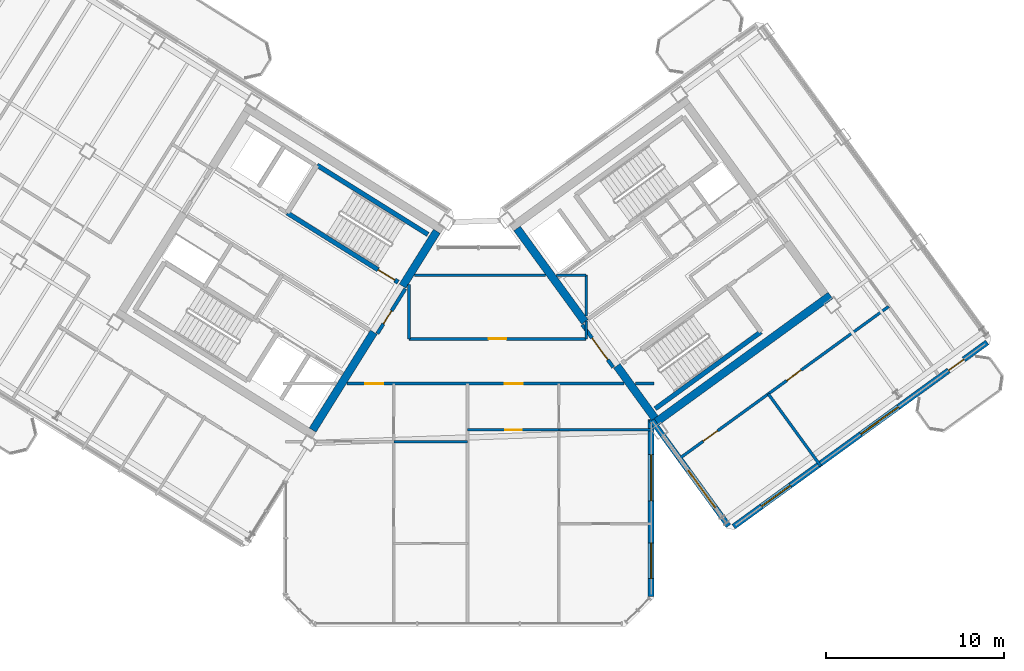
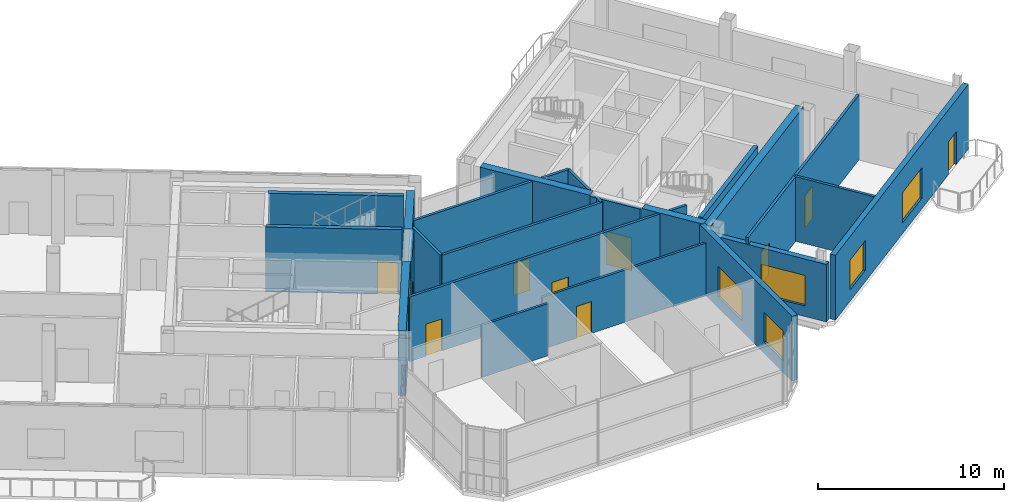
# One storey, part 18 of 27: 26 walls, 10 doors, 5 windows, 15 openings.
"""IFC4 building model written with IfcOpenShell, lengths in metres."""

from ifc_helpers import new_model, si_unit, direction, frame, frame_2d, origin, place, context, subcontext, project, spatial, rectangle, extrude, source, transform, mapped, material, layer, layer_set, type_object, element, fill, save


model = new_model("IFC4")

# Units and contexts
model_context = context("Model", 3, precision=1e-05, world=origin(), true_north=direction((0.0, 1.0)))
body_context = subcontext(model_context, "Body", "Model", "MODEL_VIEW")
ifc_project = project(units=[si_unit("LENGTHUNIT", "METRE"), si_unit("AREAUNIT", "SQUARE_METRE"), si_unit("VOLUMEUNIT", "CUBIC_METRE"), si_unit("PLANEANGLEUNIT", "RADIAN"), si_unit("MASSUNIT", "GRAM", prefix="KILO")], contexts=[model_context])

# Site, building, storey
site_placement = place(None, origin())
site = spatial("IfcSite", under=ifc_project, at=site_placement, CompositionType="ELEMENT")
building_placement = place(site_placement, origin())
building = spatial("IfcBuilding", under=site, at=building_placement, Name="Tlacorven Tower", CompositionType="ELEMENT")
storey_placement = place(building_placement, frame((0.0, 0.0, 254.699951171875)))
storey = spatial("IfcBuildingStorey", under=building, at=storey_placement, Name="L64", CompositionType="ELEMENT", Elevation=254.699951171875)

# Walls
ifc_material_1 = material(Name="Concrete C50/60", Category="concrete")
ifc_layer_1 = layer(ifc_material_1, 0.449951171875)
ifc_layer_set_1 = layer_set([ifc_layer_1], Name="Concrete C50/60")
wall_type_1 = type_object("IfcWallType", Name="WL-COR-450", PredefinedType="SHEAR", material=ifc_layer_set_1)
wall_1_placement = place(storey_placement, frame((40.220703125, 23.96484375, 0.0), z_axis=(0.0, 0.0, 1.0), x_axis=(-0.529902075036, -0.848058836916, 0.0)))
element("IfcWall", 1, at=wall_1_placement, inside=storey, type_object=wall_type_1, Name="L64 W core end wall E1.1", PredefinedType="SHEAR", context=body_context, shape_type="SweptSolid", body=[
    extrude(rectangle(XDim=3.625, YDim=0.449951171875, at=frame_2d((1.8125, 0.0))), origin(), (0.0, 0.0, 1.0), 4.25),
])
wall_2_placement = place(storey_placement, frame((36.683349609375, 18.30419921875, 0.0), z_axis=(0.0, 0.0, 1.0), x_axis=(-0.529904039071, -0.848057609704, 0.0)))
element("IfcWall", 2, at=wall_2_placement, inside=storey, type_object=wall_type_1, Name="L64 W core end wall E1.2", PredefinedType="SHEAR", context=body_context, shape_type="SweptSolid", body=[
    extrude(rectangle(XDim=6.47509765625, YDim=0.449951171875, at=frame_2d((3.237548828125, 0.0))), origin(), (0.0, 0.0, 1.0), 4.25),
])
wall_3_placement = place(storey_placement, frame((52.3994140625, 13.169189453125, 0.0), z_axis=(0.0, 0.0, 1.0), x_axis=(0.809022352778, 0.587777877013, 0.0)))
element("IfcWall", 3, at=wall_3_placement, inside=storey, type_object=wall_type_1, Name="L64 E core shear wall S1", PredefinedType="SHEAR", context=body_context, shape_type="SweptSolid", body=[
    extrude(rectangle(XDim=12.239990234375, YDim=0.449951171875, at=frame_2d((6.1201171875, 0.0))), origin(), (0.0, 0.0, 1.0), 4.25),
])
wall_4_placement = place(storey_placement, frame((52.44921875, 13.4833984375, 0.0), z_axis=(0.0, 0.0, 1.0), x_axis=(-0.587819244441, 0.808992296542, 0.0)))
element("IfcWall", 4, at=wall_4_placement, inside=storey, type_object=wall_type_1, Name="L64 E core end wall E1.1", PredefinedType="SHEAR", context=body_context, shape_type="SweptSolid", body=[
    extrude(rectangle(XDim=3.625, YDim=0.449951171875, at=frame_2d((1.8125, 0.0))), origin(), (0.0, 0.0, 1.0), 4.25),
])
wall_5_placement = place(storey_placement, frame((48.525634765625, 18.883544921875, 0.0), z_axis=(0.0, 0.0, 1.0), x_axis=(-0.587774812919, 0.809024578921, 0.0)))
element("IfcWall", 5, at=wall_5_placement, inside=storey, type_object=wall_type_1, Name="L64 E core end wall E1.2", PredefinedType="SHEAR", context=body_context, shape_type="SweptSolid", body=[
    extrude(rectangle(XDim=6.47509765625, YDim=0.449951171875, at=frame_2d((3.237548828125, 0.0))), origin(), (0.0, 0.0, 1.0), 4.25),
])

# Wall, openings, doors
ifc_material_2 = material(Name="Gypsum plasterboard acoustic partition", Category="gypsum")
ifc_layer_2 = layer(ifc_material_2, 0.159912109375)
ifc_layer_set_2 = layer_set([ifc_layer_2], Name="Gypsum plasterboard acoustic partition")
wall_type_2 = type_object("IfcWallType", Name="WL-DEM-160", PredefinedType="PARTITIONING", material=ifc_layer_set_2)
wall_6_placement = place(storey_placement, frame((35.178466796875, 15.419921875, 0.0), z_axis=(0.0, 0.0, 1.0), x_axis=(1.0, 0.0, 0.0)))
wall_6 = element("IfcWall", 6, at=wall_6_placement, inside=storey, type_object=wall_type_2, Name="L64 Knuckle Corridor South Wall", PredefinedType="PARTITIONING", context=body_context, shape_type="SweptSolid", body=[
    extrude(rectangle(XDim=15.55224609375, YDim=0.159912109375, at=frame_2d((7.776123046875, 0.0))), origin(), (0.0, 0.0, 1.0), 4.239990234375),
])
opening_1_placement = place(wall_6_placement, frame((1.028076171875, 0.0, 0.0)))
opening_1 = element("IfcOpeningElement", 7, at=opening_1_placement, cuts=wall_6, Name="Opening D11", PredefinedType="OPENING", context=body_context, shape_type="SweptSolid", body=[
    extrude(rectangle(XDim=1.0, YDim=2.10009765625, at=frame_2d((0.5, 1.050048828125))), frame((0.0, 0.08984375, 0.0), z_axis=(0.0, -1.0, 0.0), x_axis=(1.0, 0.0, 0.0)), (0.0, 0.0, 1.0), 0.179931640625),
])
opening_2_placement = place(wall_6_placement, frame((8.857666015625, 0.0, 0.0)))
opening_2 = element("IfcOpeningElement", 8, at=opening_2_placement, cuts=wall_6, Name="Opening D11", PredefinedType="OPENING", context=body_context, shape_type="SweptSolid", body=[
    extrude(rectangle(XDim=1.0, YDim=2.10009765625, at=frame_2d((0.5, 1.050048828125))), frame((0.0, 0.08984375, 0.0), z_axis=(0.0, -1.0, 0.0), x_axis=(1.0, 0.0, 0.0)), (0.0, 0.0, 1.0), 0.179931640625),
])
ifc_material_3 = material(Name="Fire-rated steel door assembly", Category="steel")
door_type_1 = type_object("IfcDoorType", Name="DR-FLT-FD60-1000", OperationType="NOTDEFINED", PredefinedType="DOOR", material=ifc_material_3)
shared_shape_1 = source(origin(), body_context, "Body", "SweptSolid", [
    extrude(rectangle(XDim=1.0, YDim=2.10009765625, at=frame_2d((0.5, 1.050048828125))), frame((0.0, 0.02490234375, 0.0), z_axis=(0.0, -1.0, 0.0), x_axis=(1.0, 0.0, 0.0)), (0.0, 0.0, 1.0), 0.050048828125),
])
door_1_placement = place(opening_1_placement, frame((1.0, 0.0, 0.0), z_axis=(0.0, 0.0, 1.0), x_axis=(-1.0, 0.0, 0.0)))
door_1 = element("IfcDoor", 9, at=door_1_placement, inside=storey, type_object=door_type_1, Name="L64 door 039", OperationType="SINGLE_SWING_RIGHT", OverallHeight=2.10009765625, OverallWidth=1.0, PredefinedType="DOOR", context=body_context, shape_type="MappedRepresentation", body=[
    mapped(shared_shape_1, transform((0.0, 0.0, 0.0), scale=1.0)),
])
fill(opening_1, door_1)
door_2_placement = place(opening_2_placement, frame((1.0, 0.0, 0.0), z_axis=(0.0, 0.0, 1.0), x_axis=(-1.0, 0.0, 0.0)))
door_2 = element("IfcDoor", 10, at=door_2_placement, inside=storey, type_object=door_type_1, Name="L64 door 044", OperationType="SINGLE_SWING_LEFT", OverallHeight=2.10009765625, OverallWidth=1.0, PredefinedType="DOOR", context=body_context, shape_type="MappedRepresentation", body=[
    mapped(shared_shape_1, transform((0.0, 0.0, 0.0), scale=1.0)),
])
fill(opening_2, door_2)

# Wall
wall_7_placement = place(storey_placement, frame((51.353515625, 15.419921875, 0.0), z_axis=(0.0, 0.0, 1.0), x_axis=(1.0, 0.0, 0.0)))
element("IfcWall", 11, at=wall_7_placement, inside=storey, type_object=wall_type_2, Name="L64 Knuckle Corridor South Wall", PredefinedType="PARTITIONING", context=body_context, shape_type="SweptSolid", body=[
    extrude(rectangle(XDim=1.04638671875, YDim=0.159912109375, at=frame_2d((0.523193359375, 0.0))), origin(), (0.0, 0.0, 1.0), 4.239990234375),
])

# Wall, opening, door
wall_8_placement = place(storey_placement, frame((38.64990234375, 17.929931640625, 0.0), z_axis=(0.0, 0.0, 1.0), x_axis=(1.0, 0.0, 0.0)))
wall_8 = element("IfcWall", 12, at=wall_8_placement, inside=storey, type_object=wall_type_2, Name="L64 partition 57", PredefinedType="PARTITIONING", context=body_context, shape_type="SweptSolid", body=[
    extrude(rectangle(XDim=9.9501953125, YDim=0.159912109375, at=frame_2d((4.97509765625, 0.0))), origin(), (0.0, 0.0, 1.0), 4.239990234375),
])
opening_3_placement = place(wall_8_placement, frame((4.47509765625, 0.0, 0.0)))
opening_3 = element("IfcOpeningElement", 13, at=opening_3_placement, cuts=wall_8, Name="Opening D11", PredefinedType="OPENING", context=body_context, shape_type="SweptSolid", body=[
    extrude(rectangle(XDim=1.0, YDim=2.10009765625, at=frame_2d((0.5, 1.050048828125))), frame((0.0, 0.08984375, 0.0), z_axis=(0.0, -1.0, 0.0), x_axis=(1.0, 0.0, 0.0)), (0.0, 0.0, 1.0), 0.179931640625),
])
door_3_placement = place(opening_3_placement, origin())
door_3 = element("IfcDoor", 14, at=door_3_placement, inside=storey, type_object=door_type_1, Name="L64 door 034", OperationType="SINGLE_SWING_LEFT", OverallHeight=2.10009765625, OverallWidth=1.0, PredefinedType="DOOR", context=body_context, shape_type="MappedRepresentation", body=[
    mapped(shared_shape_1, transform((0.0, 0.0, 0.0), scale=1.0)),
])
fill(opening_3, door_3)

# Walls
wall_9_placement = place(storey_placement, frame((38.64990234375, 17.929931640625, 0.0), z_axis=(0.0, 0.0, 1.0), x_axis=(0.0, 1.0, 0.0)))
element("IfcWall", 15, at=wall_9_placement, inside=storey, type_object=wall_type_2, Name="L64 partition 58", PredefinedType="PARTITIONING", context=body_context, shape_type="SweptSolid", body=[
    extrude(rectangle(XDim=3.045654296875, YDim=0.159912109375, at=frame_2d((1.52294921875, 0.0))), origin(), (0.0, 0.0, 1.0), 4.239990234375),
])
wall_10_placement = place(storey_placement, frame((48.60009765625, 17.929931640625, 0.0), z_axis=(0.0, 0.0, 1.0), x_axis=(0.0, 1.0, 0.0)))
element("IfcWall", 16, at=wall_10_placement, inside=storey, type_object=wall_type_2, Name="L64 partition 59", PredefinedType="PARTITIONING", context=body_context, shape_type="SweptSolid", body=[
    extrude(rectangle(XDim=0.99267578125, YDim=0.159912109375, at=frame_2d((0.496337890625, 0.0))), origin(), (0.0, 0.0, 1.0), 4.239990234375),
])
wall_11_placement = place(storey_placement, frame((48.60009765625, 19.2099609375, 0.0), z_axis=(0.0, 0.0, 1.0), x_axis=(0.0, 1.0, 0.0)))
element("IfcWall", 17, at=wall_11_placement, inside=storey, type_object=wall_type_2, Name="L64 partition 59", PredefinedType="PARTITIONING", context=body_context, shape_type="SweptSolid", body=[
    extrude(rectangle(XDim=2.2900390625, YDim=0.159912109375, at=frame_2d((1.14501953125, 0.0))), origin(), (0.0, 0.0, 1.0), 4.239990234375),
])
wall_12_placement = place(storey_placement, frame((38.9775390625, 21.5, 0.0), z_axis=(0.0, 0.0, 1.0), x_axis=(1.0, 0.0, 0.0)))
element("IfcWall", 18, at=wall_12_placement, inside=storey, type_object=wall_type_2, Name="L64 partition 60", PredefinedType="PARTITIONING", context=body_context, shape_type="SweptSolid", body=[
    extrude(rectangle(XDim=7.335693359375, YDim=0.159912109375, at=frame_2d((3.66796875, 0.0))), origin(), (0.0, 0.0, 1.0), 4.239990234375),
])
wall_13_placement = place(storey_placement, frame((46.936279296875, 21.5, 0.0), z_axis=(0.0, 0.0, 1.0), x_axis=(1.0, 0.0, 0.0)))
element("IfcWall", 19, at=wall_13_placement, inside=storey, type_object=wall_type_2, Name="L64 partition 60", PredefinedType="PARTITIONING", context=body_context, shape_type="SweptSolid", body=[
    extrude(rectangle(XDim=1.663818359375, YDim=0.159912109375, at=frame_2d((0.83203125, 0.0))), origin(), (0.0, 0.0, 1.0), 4.239990234375),
])

# Wall, openings, doors
wall_14_placement = place(storey_placement, frame((53.70458984375, 11.1259765625, 0.0), z_axis=(0.0, 0.0, 1.0), x_axis=(0.809014504436, 0.587788679384, 0.0)))
wall_14 = element("IfcWall", 20, at=wall_14_placement, inside=storey, type_object=wall_type_2, Name="L64 partition 75", PredefinedType="PARTITIONING", context=body_context, shape_type="SweptSolid", body=[
    extrude(rectangle(XDim=14.669921875, YDim=0.159912109375, at=frame_2d((7.3349609375, 0.0))), origin(), (0.0, 0.0, 1.0), 4.239990234375),
])
opening_4_placement = place(wall_14_placement, frame((1.800048828125, 0.0, 0.0)))
opening_4 = element("IfcOpeningElement", 21, at=opening_4_placement, cuts=wall_14, Name="Opening D11", PredefinedType="OPENING", context=body_context, shape_type="SweptSolid", body=[
    extrude(rectangle(XDim=1.0, YDim=2.10009765625, at=frame_2d((0.5, 1.050048828125))), frame((0.0, 0.08984375, 0.0), z_axis=(0.0, -1.0, 0.0), x_axis=(1.0, 0.0, 0.0)), (0.0, 0.0, 1.0), 0.179931640625),
])
opening_5_placement = place(wall_14_placement, frame((7.60009765625, 0.0, 0.0)))
opening_5 = element("IfcOpeningElement", 22, at=opening_5_placement, cuts=wall_14, Name="Opening D11", PredefinedType="OPENING", context=body_context, shape_type="SweptSolid", body=[
    extrude(rectangle(XDim=1.0, YDim=2.10009765625, at=frame_2d((0.5, 1.050048828125))), frame((0.0, 0.08984375, 0.0), z_axis=(0.0, -1.0, 0.0), x_axis=(1.0, 0.0, 0.0)), (0.0, 0.0, 1.0), 0.179931640625),
])
door_4_placement = place(opening_4_placement, origin())
door_4 = element("IfcDoor", 23, at=door_4_placement, inside=storey, type_object=door_type_1, Name="L64 door 050", OperationType="SINGLE_SWING_RIGHT", OverallHeight=2.10009765625, OverallWidth=1.0, PredefinedType="DOOR", context=body_context, shape_type="MappedRepresentation", body=[
    mapped(shared_shape_1, transform((0.0, 0.0, 0.0), scale=1.0)),
])
fill(opening_4, door_4)
door_5_placement = place(opening_5_placement, origin())
door_5 = element("IfcDoor", 24, at=door_5_placement, inside=storey, type_object=door_type_1, Name="L64 door 051", OperationType="SINGLE_SWING_LEFT", OverallHeight=2.10009765625, OverallWidth=1.0, PredefinedType="DOOR", context=body_context, shape_type="MappedRepresentation", body=[
    mapped(shared_shape_1, transform((0.0, 0.0, 0.0), scale=1.0)),
])
fill(opening_5, door_5)

# Wall
wall_15_placement = place(storey_placement, frame((61.75634765625, 10.795654296875, 0.0), z_axis=(0.0, 0.0, 1.0), x_axis=(-0.587782595105, 0.809018924928, 0.0)))
element("IfcWall", 25, at=wall_15_placement, inside=storey, type_object=wall_type_2, Name="L64 partition 76", PredefinedType="PARTITIONING", context=body_context, shape_type="SweptSolid", body=[
    extrude(rectangle(XDim=5.0, YDim=0.159912109375, at=frame_2d((2.5, 0.0))), origin(), (0.0, 0.0, 1.0), 4.239990234375),
])

# Wall, openings, door, windows
ifc_material_4 = material(Name="Precast concrete C45/55", Category="concrete")
ifc_layer_3 = layer(ifc_material_4, 0.320068359375)
ifc_layer_set_3 = layer_set([ifc_layer_3], Name="Precast concrete C45/55")
wall_type_3 = type_object("IfcWallType", Name="WL-EXT-320", PredefinedType="STANDARD", material=ifc_layer_set_3)
wall_16_placement = place(storey_placement, frame((71.097900390625, 17.73095703125, 0.0), z_axis=(0.0, 0.0, 1.0), x_axis=(-0.809021120468, -0.587779573171, 0.0)))
wall_16 = element("IfcWall", 26, at=wall_16_placement, inside=storey, type_object=wall_type_3, Name="L64 Masonry-Frame Recessed Facade Wall 6", PredefinedType="STANDARD", context=body_context, shape_type="SweptSolid", body=[
    extrude(rectangle(XDim=17.587646484375, YDim=0.320068359375, at=frame_2d((8.7939453125, 0.0))), origin(), (0.0, 0.0, 1.0), 4.25),
])
opening_6_placement = place(wall_16_placement, frame((1.623779296875, 0.0, 0.0)))
opening_6 = element("IfcOpeningElement", 27, at=opening_6_placement, cuts=wall_16, Name="Opening D06", PredefinedType="OPENING", context=body_context, shape_type="SweptSolid", body=[
    extrude(rectangle(XDim=1.050048828125, YDim=2.14990234375, at=frame_2d((0.52490234375, 1.074951171875))), frame((0.0, 0.169921875, 0.0), z_axis=(0.0, -1.0, 0.0), x_axis=(1.0, 0.0, 0.0)), (0.0, 0.0, 1.0), 0.340087890625),
])
opening_7_placement = place(wall_16_placement, frame((6.15869140625, 0.0, 0.699951171875)))
opening_7 = element("IfcOpeningElement", 28, at=opening_7_placement, cuts=wall_16, Name="Opening WN10", PredefinedType="OPENING", context=body_context, shape_type="SweptSolid", body=[
    extrude(rectangle(XDim=2.60009765625, YDim=2.0, at=frame_2d((1.300048828125, 1.0))), frame((0.0, 0.169921875, 0.0), z_axis=(0.0, -1.0, 0.0), x_axis=(1.0, 0.0, 0.0)), (0.0, 0.0, 1.0), 0.340087890625),
])
opening_8_placement = place(wall_16_placement, frame((13.650634765625, 0.0, 0.75)))
opening_8 = element("IfcOpeningElement", 29, at=opening_8_placement, cuts=wall_16, Name="Opening WN11", PredefinedType="OPENING", context=body_context, shape_type="SweptSolid", body=[
    extrude(rectangle(XDim=2.0, YDim=1.949951171875, at=frame_2d((1.0, 0.97509765625))), frame((0.0, 0.169921875, 0.0), z_axis=(0.0, -1.0, 0.0), x_axis=(1.0, 0.0, 0.0)), (0.0, 0.0, 1.0), 0.340087890625),
])
ifc_material_5 = material(Name="Powder-coated aluminium and timber door", Category="wood")
door_type_2 = type_object("IfcDoorType", Name="DR-EXT-BALC-1050", OperationType="NOTDEFINED", PredefinedType="DOOR", material=ifc_material_5)
shared_shape_2 = source(origin(), body_context, "Body", "SweptSolid", [
    extrude(rectangle(XDim=1.050048828125, YDim=2.14990234375, at=frame_2d((0.52490234375, 1.074951171875))), frame((0.0, 0.02490234375, 0.0), z_axis=(0.0, -1.0, 0.0), x_axis=(1.0, 0.0, 0.0)), (0.0, 0.0, 1.0), 0.050048828125),
])
door_6_placement = place(opening_6_placement, origin())
door_6 = element("IfcDoor", 30, at=door_6_placement, inside=storey, type_object=door_type_2, Name="L64 Outdoor Access Door BAL-L64-E-OUT", OperationType="SINGLE_SWING_LEFT", OverallHeight=2.14990234375, OverallWidth=1.050048828125, PredefinedType="DOOR", context=body_context, shape_type="MappedRepresentation", body=[
    mapped(shared_shape_2, transform((0.0, 0.0, 0.0), scale=1.0)),
])
fill(opening_6, door_6)
ifc_material_6 = material(Name="Dark solar low-E double glazing in anodised aluminium frame", Category="aluminium")
window_type_1 = type_object("IfcWindowType", Name="WN-COM-2600X2200", PartitioningType="SINGLE_PANEL", PredefinedType="WINDOW", material=ifc_material_6)
shared_shape_3 = source(origin(), body_context, "Body", "SweptSolid", [
    extrude(rectangle(XDim=2.60009765625, YDim=2.0, at=frame_2d((1.300048828125, 1.0))), frame((0.0, 0.030029296875, 0.0), z_axis=(0.0, -1.0, 0.0), x_axis=(1.0, 0.0, 0.0)), (0.0, 0.0, 1.0), 0.06005859375),
])
window_1_placement = place(opening_7_placement, origin())
window_1 = element("IfcWindow", 31, at=window_1_placement, inside=storey, type_object=window_type_1, Name="L64 Recessed Masonry-Frame Window L64-06.1", OverallHeight=2.0, OverallWidth=2.60009765625, PartitioningType="SINGLE_PANEL", PredefinedType="WINDOW", context=body_context, shape_type="MappedRepresentation", body=[
    mapped(shared_shape_3, transform((0.0, 0.0, 0.0), scale=1.0)),
])
fill(opening_7, window_1)
window_type_2 = type_object("IfcWindowType", Name="WN-COM-2000X2100", PartitioningType="SINGLE_PANEL", PredefinedType="WINDOW", material=ifc_material_6)
shared_shape_4 = source(origin(), body_context, "Body", "SweptSolid", [
    extrude(rectangle(XDim=2.0, YDim=1.949951171875, at=frame_2d((1.0, 0.97509765625))), frame((0.0, 0.030029296875, 0.0), z_axis=(0.0, -1.0, 0.0), x_axis=(1.0, 0.0, 0.0)), (0.0, 0.0, 1.0), 0.06005859375),
])
window_2_placement = place(opening_8_placement, origin())
window_2 = element("IfcWindow", 32, at=window_2_placement, inside=storey, type_object=window_type_2, Name="L64 Recessed Masonry-Frame Window L64-06.2", OverallHeight=1.949951171875, OverallWidth=2.0, PartitioningType="SINGLE_PANEL", PredefinedType="WINDOW", context=body_context, shape_type="MappedRepresentation", body=[
    mapped(shared_shape_4, transform((0.0, 0.0, 0.0), scale=1.0)),
])
fill(opening_8, window_2)

# Wall, opening, window
wall_17_placement = place(storey_placement, frame((56.5810546875, 7.43896484375, 0.0), z_axis=(0.0, 0.0, 1.0), x_axis=(-0.587776558368, 0.809023310809, 0.0)))
wall_17 = element("IfcWall", 33, at=wall_17_placement, inside=storey, type_object=wall_type_3, Name="L64 Masonry-Frame Recessed Facade Wall 7", PredefinedType="STANDARD", context=body_context, shape_type="SweptSolid", body=[
    extrude(rectangle(XDim=7.385498046875, YDim=0.320068359375, at=frame_2d((3.69287109375, 0.0))), origin(), (0.0, 0.0, 1.0), 3.775146484375),
])
opening_9_placement = place(wall_17_placement, frame((1.256103515625, 0.0, 0.699951171875)))
opening_9 = element("IfcOpeningElement", 34, at=opening_9_placement, cuts=wall_17, Name="Opening WN10", PredefinedType="OPENING", context=body_context, shape_type="SweptSolid", body=[
    extrude(rectangle(XDim=2.60009765625, YDim=2.0, at=frame_2d((1.300048828125, 1.0))), frame((0.0, 0.169921875, 0.0), z_axis=(0.0, -1.0, 0.0), x_axis=(1.0, 0.0, 0.0)), (0.0, 0.0, 1.0), 0.340087890625),
])
window_3_placement = place(opening_9_placement, origin())
window_3 = element("IfcWindow", 35, at=window_3_placement, inside=storey, type_object=window_type_1, Name="L64 Recessed Masonry-Frame Window L64-07.1", OverallHeight=2.0, OverallWidth=2.60009765625, PartitioningType="SINGLE_PANEL", PredefinedType="WINDOW", context=body_context, shape_type="MappedRepresentation", body=[
    mapped(shared_shape_3, transform((0.0, 0.0, 0.0), scale=1.0)),
])
fill(opening_9, window_3)

# Wall, openings, windows
wall_18_placement = place(storey_placement, frame((52.239990234375, 13.4140625, 0.0), z_axis=(0.0, 0.0, 1.0), x_axis=(0.0, -1.0, 0.0)))
wall_18 = element("IfcWall", 36, at=wall_18_placement, inside=storey, type_object=wall_type_3, Name="L64 Masonry-Frame Recessed Facade Wall 8", PredefinedType="STANDARD", context=body_context, shape_type="SweptSolid", body=[
    extrude(rectangle(XDim=9.94775390625, YDim=0.320068359375, at=frame_2d((4.973876953125, 0.0))), origin(), (0.0, 0.0, 1.0), 4.25),
])
opening_10_placement = place(wall_18_placement, frame((1.974853515625, 0.0, 0.699951171875)))
opening_10 = element("IfcOpeningElement", 37, at=opening_10_placement, cuts=wall_18, Name="Opening WN10", PredefinedType="OPENING", context=body_context, shape_type="SweptSolid", body=[
    extrude(rectangle(XDim=2.60009765625, YDim=2.0, at=frame_2d((1.300048828125, 1.0))), frame((0.0, 0.169921875, 0.0), z_axis=(0.0, -1.0, 0.0), x_axis=(1.0, 0.0, 0.0)), (0.0, 0.0, 1.0), 0.340087890625),
])
opening_11_placement = place(wall_18_placement, frame((6.933349609375, 0.0, 0.75)))
opening_11 = element("IfcOpeningElement", 38, at=opening_11_placement, cuts=wall_18, Name="Opening WN11", PredefinedType="OPENING", context=body_context, shape_type="SweptSolid", body=[
    extrude(rectangle(XDim=2.0, YDim=1.949951171875, at=frame_2d((1.0, 0.97509765625))), frame((0.0, 0.169921875, 0.0), z_axis=(0.0, -1.0, 0.0), x_axis=(1.0, 0.0, 0.0)), (0.0, 0.0, 1.0), 0.340087890625),
])
window_4_placement = place(opening_10_placement, origin())
window_4 = element("IfcWindow", 39, at=window_4_placement, inside=storey, type_object=window_type_1, Name="L64 Recessed Masonry-Frame Window L64-08.1", OverallHeight=2.0, OverallWidth=2.60009765625, PartitioningType="SINGLE_PANEL", PredefinedType="WINDOW", context=body_context, shape_type="MappedRepresentation", body=[
    mapped(shared_shape_3, transform((0.0, 0.0, 0.0), scale=1.0)),
])
fill(opening_10, window_4)
window_5_placement = place(opening_11_placement, origin())
window_5 = element("IfcWindow", 40, at=window_5_placement, inside=storey, type_object=window_type_2, Name="L64 Recessed Masonry-Frame Window L64-08.2", OverallHeight=1.949951171875, OverallWidth=2.0, PartitioningType="SINGLE_PANEL", PredefinedType="WINDOW", context=body_context, shape_type="MappedRepresentation", body=[
    mapped(shared_shape_4, transform((0.0, 0.0, 0.0), scale=1.0)),
])
fill(opening_11, window_5)

# Wall
ifc_material_7 = material(Name="Moisture-resistant gypsum plumbing wall", Category="gypsum")
ifc_layer_4 = layer(ifc_material_7, 0.139892578125)
ifc_layer_set_4 = layer_set([ifc_layer_4], Name="Moisture-resistant gypsum plumbing wall")
wall_type_4 = type_object("IfcWallType", Name="WL-PLM-140", PredefinedType="PLUMBINGWALL", material=ifc_layer_set_4)
wall_19_placement = place(storey_placement, frame((37.81298828125, 12.169921875, 0.0), z_axis=(0.0, 0.0, 1.0), x_axis=(1.0, 0.0, 0.0)))
element("IfcWall", 41, at=wall_19_placement, inside=storey, type_object=wall_type_4, Name="L64 partition 65", PredefinedType="PLUMBINGWALL", context=body_context, shape_type="SweptSolid", body=[
    extrude(rectangle(XDim=4.136962890625, YDim=0.139892578125, at=frame_2d((2.068359375, 0.0))), origin(), (0.0, 0.0, 1.0), 3.425048828125),
])

# Wall, opening, door
wall_20_placement = place(storey_placement, frame((41.949951171875, 12.820068359375, 0.0), z_axis=(0.0, 0.0, 1.0), x_axis=(1.0, 0.0, 0.0)))
wall_20 = element("IfcWall", 42, at=wall_20_placement, inside=storey, type_object=wall_type_4, Name="L64 partition 68", PredefinedType="PLUMBINGWALL", context=body_context, shape_type="SweptSolid", body=[
    extrude(rectangle(XDim=5.1220703125, YDim=0.139892578125, at=frame_2d((2.56103515625, 0.0))), origin(), (0.0, 0.0, 1.0), 3.425048828125),
])
opening_12_placement = place(wall_20_placement, frame((2.10107421875, 0.0, 0.0)))
opening_12 = element("IfcOpeningElement", 43, at=opening_12_placement, cuts=wall_20, Name="Opening D12", PredefinedType="OPENING", context=body_context, shape_type="SweptSolid", body=[
    extrude(rectangle(XDim=0.919921875, YDim=2.080078125, at=frame_2d((0.4599609375, 1.0400390625))), frame((0.0, 0.080078125, 0.0), z_axis=(0.0, -1.0, 0.0), x_axis=(1.0, 0.0, 0.0)), (0.0, 0.0, 1.0), 0.159912109375),
])
door_type_3 = type_object("IfcDoorType", Name="DR-INT-ROOM-0920", OperationType="NOTDEFINED", PredefinedType="DOOR", material=ifc_material_5)
shared_shape_5 = source(origin(), body_context, "Body", "SweptSolid", [
    extrude(rectangle(XDim=0.919921875, YDim=2.080078125, at=frame_2d((0.4599609375, 1.0400390625))), frame((0.0, 0.02490234375, 0.0), z_axis=(0.0, -1.0, 0.0), x_axis=(1.0, 0.0, 0.0)), (0.0, 0.0, 1.0), 0.050048828125),
])
door_7_placement = place(opening_12_placement, frame((0.919921875, 0.0, 0.0), z_axis=(0.0, 0.0, 1.0), x_axis=(-1.0, 0.0, 0.0)))
door_7 = element("IfcDoor", 44, at=door_7_placement, inside=storey, type_object=door_type_3, Name="L64 door 045", OperationType="SINGLE_SWING_RIGHT", OverallHeight=2.080078125, OverallWidth=0.919921875, PredefinedType="DOOR", context=body_context, shape_type="MappedRepresentation", body=[
    mapped(shared_shape_5, transform((0.0, 0.0, 0.0), scale=1.0)),
])
fill(opening_12, door_7)

# Wall
wall_21_placement = place(storey_placement, frame((47.072021484375, 12.820068359375, 0.0), z_axis=(0.0, 0.0, 1.0), x_axis=(1.0, 0.0, 0.0)))
element("IfcWall", 45, at=wall_21_placement, inside=storey, type_object=wall_type_4, Name="L64 partition 69", PredefinedType="PLUMBINGWALL", context=body_context, shape_type="SweptSolid", body=[
    extrude(rectangle(XDim=5.152099609375, YDim=0.139892578125, at=frame_2d((2.576171875, 0.0))), origin(), (0.0, 0.0, 1.0), 3.425048828125),
])

# Wall, opening, door
ifc_material_8 = material(Name="Concrete C40/50", Category="concrete")
ifc_layer_5 = layer(ifc_material_8, 0.199951171875)
ifc_layer_set_5 = layer_set([ifc_layer_5], Name="Concrete C40/50")
wall_type_5 = type_object("IfcWallType", Name="WL-SHF-200", PredefinedType="STANDARD", material=ifc_layer_set_5)
wall_22_placement = place(storey_placement, frame((38.451416015625, 20.737060546875, 0.0), z_axis=(0.0, 0.0, 1.0), x_axis=(-0.529924799939, -0.848044637038, 0.0)))
wall_22 = element("IfcWall", 46, at=wall_22_placement, inside=storey, type_object=wall_type_5, Name="L64 partition 55", PredefinedType="STANDARD", context=body_context, shape_type="SweptSolid", body=[
    extrude(rectangle(XDim=2.9599609375, YDim=0.199951171875, at=frame_2d((1.47998046875, 0.0))), origin(), (0.0, 0.0, 1.0), 4.239990234375),
])
opening_13_placement = place(wall_22_placement, frame((1.4599609375, 0.0, 0.0)))
opening_13 = element("IfcOpeningElement", 47, at=opening_13_placement, cuts=wall_22, Name="Opening D19", PredefinedType="OPENING", context=body_context, shape_type="SweptSolid", body=[
    extrude(rectangle(XDim=0.860107421875, YDim=2.050048828125, at=frame_2d((0.43017578125, 1.02490234375))), frame((0.0, 0.10986328125, 0.0), z_axis=(0.0, -1.0, 0.0), x_axis=(1.0, 0.0, 0.0)), (0.0, 0.0, 1.0), 0.219970703125),
])
door_type_4 = type_object("IfcDoorType", Name="DR-RSR-FD60-0860", OperationType="NOTDEFINED", PredefinedType="DOOR", material=ifc_material_3)
shared_shape_6 = source(origin(), body_context, "Body", "SweptSolid", [
    extrude(rectangle(XDim=0.860107421875, YDim=2.050048828125, at=frame_2d((0.43017578125, 1.02490234375))), frame((0.0, 0.02490234375, 0.0), z_axis=(0.0, -1.0, 0.0), x_axis=(1.0, 0.0, 0.0)), (0.0, 0.0, 1.0), 0.050048828125),
])
door_8_placement = place(opening_13_placement, frame((0.860107421875, 0.0, 0.0), z_axis=(0.0, 0.0, 1.0), x_axis=(-1.0, 0.0, 0.0)))
door_8 = element("IfcDoor", 48, at=door_8_placement, inside=storey, type_object=door_type_4, Name="L64 door 035", OperationType="SINGLE_SWING_LEFT", OverallHeight=2.050048828125, OverallWidth=0.860107421875, PredefinedType="DOOR", context=body_context, shape_type="MappedRepresentation", body=[
    mapped(shared_shape_6, transform((0.0, 0.0, 0.0), scale=1.0)),
])
fill(opening_13, door_8)

wall_23_placement = place(storey_placement, frame((50.119140625, 16.3330078125, 0.0), z_axis=(0.0, 0.0, 1.0), x_axis=(-0.587749856981, 0.809042709391, 0.0)))
wall_23 = element("IfcWall", 49, at=wall_23_placement, inside=storey, type_object=wall_type_5, Name="L64 partition 61", PredefinedType="STANDARD", context=body_context, shape_type="SweptSolid", body=[
    extrude(rectangle(XDim=2.9599609375, YDim=0.199951171875, at=frame_2d((1.47998046875, 0.0))), origin(), (0.0, 0.0, 1.0), 4.239990234375),
])
opening_14_placement = place(wall_23_placement, frame((0.530029296875, 0.0, 0.0)))
opening_14 = element("IfcOpeningElement", 50, at=opening_14_placement, cuts=wall_23, Name="Opening D10", PredefinedType="OPENING", context=body_context, shape_type="SweptSolid", body=[
    extrude(rectangle(XDim=1.5, YDim=2.14990234375, at=frame_2d((0.75, 1.074951171875))), frame((0.0, 0.10986328125, 0.0), z_axis=(0.0, -1.0, 0.0), x_axis=(1.0, 0.0, 0.0)), (0.0, 0.0, 1.0), 0.219970703125),
])
door_type_5 = type_object("IfcDoorType", Name="DR-LOB-FD60-1500", OperationType="DOUBLE_DOOR_SINGLE_SWING", PredefinedType="DOOR", material=ifc_material_3)
shared_shape_7 = source(origin(), body_context, "Body", "SweptSolid", [
    extrude(rectangle(XDim=1.5, YDim=2.14990234375, at=frame_2d((0.75, 1.074951171875))), frame((0.0, 0.02490234375, 0.0), z_axis=(0.0, -1.0, 0.0), x_axis=(1.0, 0.0, 0.0)), (0.0, 0.0, 1.0), 0.050048828125),
])
door_9_placement = place(opening_14_placement, frame((1.5, 0.0, 0.0), z_axis=(0.0, 0.0, 1.0), x_axis=(-1.0, 0.0, 0.0)))
door_9 = element("IfcDoor", 51, at=door_9_placement, inside=storey, type_object=door_type_5, Name="L64 door 036", OperationType="DOUBLE_DOOR_SINGLE_SWING", OverallHeight=2.14990234375, OverallWidth=1.5, PredefinedType="DOOR", context=body_context, shape_type="MappedRepresentation", body=[
    mapped(shared_shape_7, transform((0.0, 0.0, 0.0), scale=1.0)),
])
fill(opening_14, door_9)

# Wall
ifc_layer_6 = layer(ifc_material_1, 0.260009765625)
ifc_layer_set_6 = layer_set([ifc_layer_6], Name="Concrete C50/60")
wall_type_6 = type_object("IfcWallType", Name="WL-STW-260", PredefinedType="SHEAR", material=ifc_layer_set_6)
wall_24_placement = place(storey_placement, frame((39.720947265625, 23.787841796875, 0.0), z_axis=(0.0, 0.0, 1.0), x_axis=(-0.848054434086, 0.529909121291, 0.0)))
element("IfcWall", 52, at=wall_24_placement, inside=storey, type_object=wall_type_6, Name="L64 Stair W2 Far Shear Wall", PredefinedType="SHEAR", context=body_context, shape_type="SweptSolid", body=[
    extrude(rectangle(XDim=7.330078125, YDim=0.260009765625, at=frame_2d((3.6650390625, 0.0))), origin(), (0.0, 0.0, 1.0), 4.25),
])

# Wall, opening, door
wall_25_placement = place(storey_placement, frame((38.04638671875, 21.10791015625, 0.0), z_axis=(0.0, 0.0, 1.0), x_axis=(-0.848054434086, 0.529909121291, 0.0)))
wall_25 = element("IfcWall", 53, at=wall_25_placement, inside=storey, type_object=wall_type_6, Name="L64 Stair W2 Lobby Shear Wall", PredefinedType="SHEAR", context=body_context, shape_type="SweptSolid", body=[
    extrude(rectangle(XDim=7.330078125, YDim=0.260009765625, at=frame_2d((3.6650390625, 0.0))), origin(), (0.0, 0.0, 1.0), 4.25),
])
opening_15_placement = place(wall_25_placement, frame((0.219970703125, 0.0, 0.0)))
opening_15 = element("IfcOpeningElement", 54, at=opening_15_placement, cuts=wall_25, Name="Opening D07", PredefinedType="OPENING", context=body_context, shape_type="SweptSolid", body=[
    extrude(rectangle(XDim=1.10009765625, YDim=2.10009765625, at=frame_2d((0.550048828125, 1.050048828125))), frame((0.0, 0.14013671875, 0.0), z_axis=(0.0, -1.0, 0.0), x_axis=(1.0, 0.0, 0.0)), (0.0, 0.0, 1.0), 0.280029296875),
])
door_type_6 = type_object("IfcDoorType", Name="DR-STR-FD90-1100", OperationType="NOTDEFINED", PredefinedType="DOOR", material=ifc_material_3)
shared_shape_8 = source(origin(), body_context, "Body", "SweptSolid", [
    extrude(rectangle(XDim=1.10009765625, YDim=2.10009765625, at=frame_2d((0.550048828125, 1.050048828125))), frame((0.0, 0.02490234375, 0.0), z_axis=(0.0, -1.0, 0.0), x_axis=(1.0, 0.0, 0.0)), (0.0, 0.0, 1.0), 0.050048828125),
])
door_10_placement = place(opening_15_placement, origin())
door_10 = element("IfcDoor", 55, at=door_10_placement, inside=storey, type_object=door_type_6, Name="L64 Exit Stair W2 Fire Door", OperationType="SINGLE_SWING_LEFT", OverallHeight=2.10009765625, OverallWidth=1.10009765625, PredefinedType="DOOR", context=body_context, shape_type="MappedRepresentation", body=[
    mapped(shared_shape_8, transform((0.0, 0.0, 0.0), scale=1.0)),
])
fill(opening_15, door_10)

# Wall
wall_26_placement = place(storey_placement, frame((52.47216796875, 14.01318359375, 0.0), z_axis=(0.0, 0.0, 1.0), x_axis=(0.809028366311, 0.587769599847, 0.0)))
element("IfcWall", 56, at=wall_26_placement, inside=storey, type_object=wall_type_6, Name="L64 Stair E2 Far Shear Wall", PredefinedType="SHEAR", context=body_context, shape_type="SweptSolid", body=[
    extrude(rectangle(XDim=7.330078125, YDim=0.260009765625, at=frame_2d((3.6650390625, 0.0))), origin(), (0.0, 0.0, 1.0), 4.25),
])

save(model, "model.ifc")
